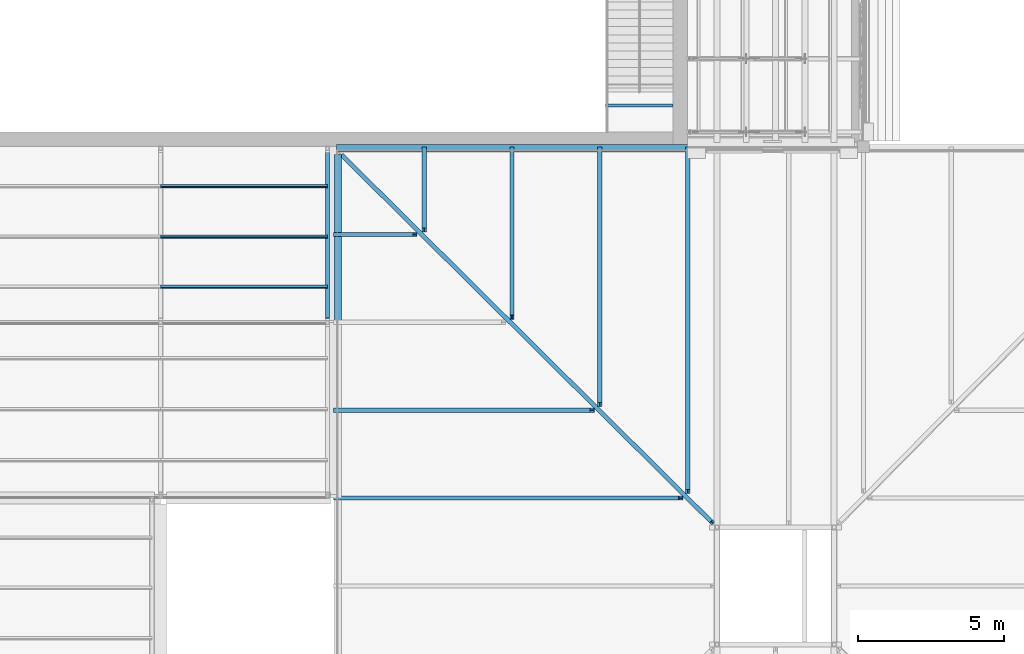
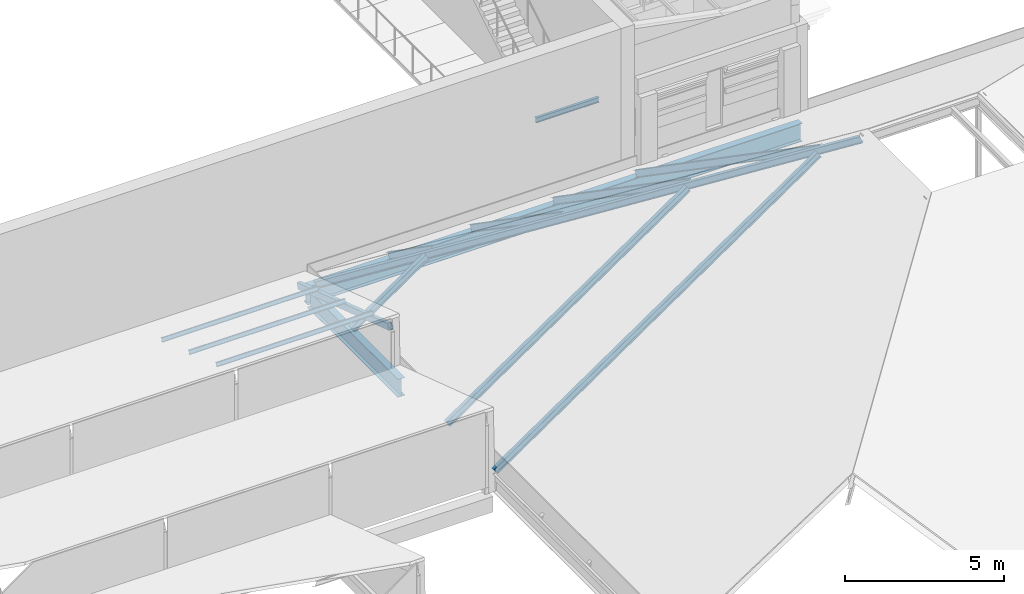
# One storey, part 22 of 118: 12 members, 3 beams.
"""IFC4 building model written with IfcOpenShell, lengths in metres."""

from ifc_helpers import new_model, si_unit, direction, frame, origin, origin_2d, place, context, subcontext, project, spatial, hollow_rectangle, i_section, extrude, material, material_profile, profile_set, type_object, element, save


model = new_model("IFC4")

# Units and contexts
model_context = context("Model", 3, precision=1e-05, world=origin(), true_north=direction((0.0, 1.0)))
body_context = subcontext(model_context, "Body", "Model", "MODEL_VIEW")
ifc_project = project(units=[si_unit("LENGTHUNIT", "METRE"), si_unit("AREAUNIT", "SQUARE_METRE"), si_unit("VOLUMEUNIT", "CUBIC_METRE"), si_unit("PLANEANGLEUNIT", "RADIAN"), si_unit("MASSUNIT", "GRAM", prefix="KILO")], contexts=[model_context])

# Site, building, storey
site_placement = place(None, origin())
site = spatial("IfcSite", under=ifc_project, at=site_placement, CompositionType="ELEMENT")
building_placement = place(site_placement, origin())
building = spatial("IfcBuilding", under=site, at=building_placement, Name="Saffron Lane Theatres", CompositionType="ELEMENT")
storey_placement = place(building_placement, frame((0.0, 0.0, 16.5)))
storey = spatial("IfcBuildingStorey", under=building, at=storey_placement, Name="L03", CompositionType="ELEMENT", Elevation=16.5)

# Beams
ifc_material_1 = material(Name="Steel Grade 350", Category="steel")
ifc_material_profile_1 = material_profile(ifc_material_1, i_section(OverallWidth=0.25, OverallDepth=0.699951171875, WebThickness=0.010009765625, FlangeThickness=0.02001953125, at=origin_2d()))
ifc_profile_set_1 = profile_set([ifc_material_profile_1], Name="Steel Grade 350")
beam_type_1 = type_object("IfcBeamType", Name="ST-EAVE BEAM 700WB130", PredefinedType="BEAM", material=ifc_profile_set_1)
beam_1_placement = place(storey_placement, frame((36.0, 29.949951171875, 0.35009765625), z_axis=(1.0, 0.0, 0.0), x_axis=(0.0, 1.0, 0.0)))
element("IfcBeam", 1, at=beam_1_placement, inside=storey, type_object=beam_type_1, Name="SE6", PredefinedType="BEAM", context=body_context, shape_type="SweptSolid", body=[
    extrude(i_section(OverallWidth=0.25, OverallDepth=0.699951171875, WebThickness=0.010009765625, FlangeThickness=0.02001953125, at=origin_2d()), origin(), (0.0, 0.0, 1.0), 18.0),
])
beam_2_placement = place(storey_placement, frame((36.050048828125, 24.0, 0.35009765625), z_axis=(0.0, 1.0, 0.0), x_axis=(-1.0, 0.0, 0.0)))
element("IfcBeam", 2, at=beam_2_placement, inside=storey, type_object=beam_type_1, Name="SE12", PredefinedType="BEAM", context=body_context, shape_type="SweptSolid", body=[
    extrude(i_section(OverallWidth=0.25, OverallDepth=0.699951171875, WebThickness=0.010009765625, FlangeThickness=0.02001953125, at=origin_2d()), origin(), (0.0, 0.0, 1.0), 5.72509765625),
])
ifc_material_2 = material(Name="Steel Grade 350", Category="steel")
ifc_material_profile_2 = material_profile(ifc_material_2, i_section(OverallWidth=0.09912109375, OverallDepth=0.197998046875, WebThickness=0.00439453125, FlangeThickness=0.007080078125, FilletRadius=0.010986328125, at=origin_2d()))
ifc_profile_set_2 = profile_set([ifc_material_profile_2], Name="Steel Grade 350")
beam_type_2 = type_object("IfcBeamType", Name="ST-GALLERY BEAM 200UB18.2", PredefinedType="BEAM", material=ifc_profile_set_2)
beam_3_placement = place(storey_placement, frame((45.199951171875, 31.39990234375, 2.950927734375), z_axis=(1.0, 0.0, 0.0), x_axis=(0.0, 1.0, 0.0)))
element("IfcBeam", 3, at=beam_3_placement, inside=storey, type_object=beam_type_2, Name="FLE19.75-1", PredefinedType="BEAM", context=body_context, shape_type="SweptSolid", body=[
    extrude(i_section(OverallWidth=0.09912109375, OverallDepth=0.197998046875, WebThickness=0.00439453125, FlangeThickness=0.007080078125, FilletRadius=0.010986328125, at=origin_2d()), origin(), (0.0, 0.0, 1.0), 2.300048828125),
])

# Members
ifc_material_3 = material(Name="Steel Grade 350", Category="steel")
ifc_material_profile_3 = material_profile(ifc_material_3, i_section(OverallWidth=0.14599609375, OverallDepth=0.251953125, WebThickness=0.006103515625, FlangeThickness=0.008544921875, FilletRadius=0.011962890625, at=origin_2d()))
ifc_profile_set_3 = profile_set([ifc_material_profile_3], Name="Steel Grade 350")
member_type_1 = type_object("IfcMemberType", Name="ST-HIP RAFTER 250UB31.4", PredefinedType="RAFTER", material=ifc_profile_set_3)
member_1_placement = place(storey_placement, frame((36.214599609375, 29.685302734375, 0.81298828125), z_axis=(0.636646229199, -0.631657803978, 0.442368621763), x_axis=(0.704320179051, 0.709882444763, 0.0)))
element("IfcMember", 4, at=member_1_placement, inside=storey, type_object=member_type_1, Name="SH2", PredefinedType="RAFTER", context=body_context, shape_type="SweptSolid", body=[
    extrude(i_section(OverallWidth=0.14599609375, OverallDepth=0.251953125, WebThickness=0.006103515625, FlangeThickness=0.008544921875, FilletRadius=0.011962890625, at=origin_2d()), origin(), (0.0, 0.0, 1.0), 19.8212890625),
])
ifc_material_4 = material(Name="Steel Grade 350", Category="steel")
ifc_material_profile_4 = material_profile(ifc_material_4, i_section(OverallWidth=0.14599609375, OverallDepth=0.251953125, WebThickness=0.006103515625, FlangeThickness=0.008544921875, FilletRadius=0.011962890625, at=origin_2d()))
ifc_profile_set_4 = profile_set([ifc_material_profile_4], Name="Steel Grade 350")
member_type_2 = type_object("IfcMemberType", Name="ST-JACK RAFTER 250UB31.4", PredefinedType="RAFTER", material=ifc_profile_set_4)
member_2_placement = place(storey_placement, frame((39.0, 29.923095703125, 0.80419921875), z_axis=(0.0, -0.822925157336, 0.568149791361), x_axis=(1.0, 0.0, 0.0)))
element("IfcMember", 5, at=member_2_placement, inside=storey, type_object=member_type_2, Name="SK2", PredefinedType="RAFTER", context=body_context, shape_type="SweptSolid", body=[
    extrude(i_section(OverallWidth=0.14599609375, OverallDepth=0.251953125, WebThickness=0.006103515625, FlangeThickness=0.008544921875, FilletRadius=0.011962890625, at=origin_2d()), origin(), (0.0, 0.0, 1.0), 3.366455078125),
])
member_3_placement = place(storey_placement, frame((42.0, 29.923095703125, 0.80419921875), z_axis=(0.0, -0.822954104635, 0.568107860942), x_axis=(1.0, 0.0, 0.0)))
element("IfcMember", 6, at=member_3_placement, inside=storey, type_object=member_type_2, Name="SK4", PredefinedType="RAFTER", context=body_context, shape_type="SweptSolid", body=[
    extrude(i_section(OverallWidth=0.14599609375, OverallDepth=0.251953125, WebThickness=0.006103515625, FlangeThickness=0.008544921875, FilletRadius=0.011962890625, at=origin_2d()), origin(), (0.0, 0.0, 1.0), 6.983642578125),
])
member_4_placement = place(storey_placement, frame((45.0, 29.923095703125, 0.80419921875), z_axis=(0.0, -0.822955863712, 0.568105312757), x_axis=(1.0, 0.0, 0.0)))
element("IfcMember", 7, at=member_4_placement, inside=storey, type_object=member_type_2, Name="SK6", PredefinedType="RAFTER", context=body_context, shape_type="SweptSolid", body=[
    extrude(i_section(OverallWidth=0.14599609375, OverallDepth=0.251953125, WebThickness=0.006103515625, FlangeThickness=0.008544921875, FilletRadius=0.011962890625, at=origin_2d()), origin(), (0.0, 0.0, 1.0), 10.60107421875),
])
member_5_placement = place(storey_placement, frame((48.0, 29.923095703125, 0.80419921875), z_axis=(0.0, -0.822956727743, 0.568104061122), x_axis=(1.0, 0.0, 0.0)))
element("IfcMember", 8, at=member_5_placement, inside=storey, type_object=member_type_2, Name="SK8", PredefinedType="RAFTER", context=body_context, shape_type="SweptSolid", body=[
    extrude(i_section(OverallWidth=0.14599609375, OverallDepth=0.251953125, WebThickness=0.006103515625, FlangeThickness=0.008544921875, FilletRadius=0.011962890625, at=origin_2d()), origin(), (0.0, 0.0, 1.0), 14.21826171875),
])
member_6_placement = place(storey_placement, frame((35.97607421875, 18.0, 0.804931640625), z_axis=(0.825011173097, 0.0, 0.565116416559), x_axis=(0.0, 1.0, 0.0)))
element("IfcMember", 9, at=member_6_placement, inside=storey, type_object=member_type_2, Name="SK29", PredefinedType="RAFTER", context=body_context, shape_type="SweptSolid", body=[
    extrude(i_section(OverallWidth=0.14599609375, OverallDepth=0.251953125, WebThickness=0.006103515625, FlangeThickness=0.008544921875, FilletRadius=0.011962890625, at=origin_2d()), origin(), (0.0, 0.0, 1.0), 14.2841796875),
])
member_7_placement = place(storey_placement, frame((35.97607421875, 21.0, 0.804931640625), z_axis=(0.825009980266, 0.0, 0.565118157965), x_axis=(0.0, 1.0, 0.0)))
element("IfcMember", 10, at=member_7_placement, inside=storey, type_object=member_type_2, Name="SK31", PredefinedType="RAFTER", context=body_context, shape_type="SweptSolid", body=[
    extrude(i_section(OverallWidth=0.14599609375, OverallDepth=0.251953125, WebThickness=0.006103515625, FlangeThickness=0.008544921875, FilletRadius=0.011962890625, at=origin_2d()), origin(), (0.0, 0.0, 1.0), 10.619873046875),
])
member_8_placement = place(storey_placement, frame((35.97607421875, 27.0, 0.804931640625), z_axis=(0.82504511108, 0.0, 0.565066867444), x_axis=(0.0, 1.0, 0.0)))
element("IfcMember", 11, at=member_8_placement, inside=storey, type_object=member_type_2, Name="SK35", PredefinedType="RAFTER", context=body_context, shape_type="SweptSolid", body=[
    extrude(i_section(OverallWidth=0.14599609375, OverallDepth=0.251953125, WebThickness=0.006103515625, FlangeThickness=0.008544921875, FilletRadius=0.011962890625, at=origin_2d()), origin(), (0.0, 0.0, 1.0), 3.29052734375),
])
ifc_material_5 = material(Name="Steel Grade 350", Category="steel")
ifc_material_profile_5 = material_profile(ifc_material_5, i_section(OverallWidth=0.074951171875, OverallDepth=0.155029296875, WebThickness=0.006103515625, FlangeThickness=0.009521484375, FilletRadius=0.008056640625, at=origin_2d()))
ifc_profile_set_5 = profile_set([ifc_material_profile_5], Name="Steel Grade 350")
member_type_3 = type_object("IfcMemberType", Name="ST-STUDIO PURLIN 150UB18.0", PredefinedType="PURLIN", material=ifc_profile_set_5)
for number, where, z_axis, x_axis, name in (
    (12, (30.0, 25.2099609375, 2.60498046875), (1.0, 0.0, 0.0), (0.0, 0.949628648787, -0.313377455162), "GSU56"),
    (13, (30.0, 26.93115234375, 2.036865234375), (1.0, 0.0, 0.0), (0.0, 0.949628648787, -0.313377455162), "GSU61"),
    (14, (30.0, 28.652587890625, 1.468994140625), (1.0, 0.0, 0.0), (0.0, 0.949628648787, -0.313377455162), "GSU66"),
):
    element("IfcMember", number, at=place(storey_placement, frame(where, z_axis=z_axis, x_axis=x_axis)), inside=storey, type_object=member_type_3, Name=name, PredefinedType="PURLIN", context=body_context, shape_type="SweptSolid", body=[
        extrude(i_section(OverallWidth=0.074951171875, OverallDepth=0.155029296875, WebThickness=0.006103515625, FlangeThickness=0.009521484375, FilletRadius=0.008056640625, at=origin_2d()), origin(), (0.0, 0.0, 1.0), 5.699951171875),
    ])
ifc_material_6 = material(Name="Steel Grade 350", Category="steel")
ifc_material_profile_6 = material_profile(ifc_material_6, hollow_rectangle(XDim=0.14990234375, YDim=0.25, WallThickness=0.009033203125, InnerFilletRadius=0.00439453125, OuterFilletRadius=0.013427734375, at=origin_2d()))
ifc_profile_set_6 = profile_set([ifc_material_profile_6], Name="Steel Grade 350")
member_type_4 = type_object("IfcMemberType", Name="ST-STUDIO TRUSS CHORD 250x150x9 RHS", PredefinedType="CHORD", material=ifc_profile_set_6)
member_9_placement = place(storey_placement, frame((35.699951171875, 24.1015625, 2.757568359375), z_axis=(0.0, 0.949629130372, -0.313375995807), x_axis=(-1.0, 0.0, 0.0)))
element("IfcMember", 15, at=member_9_placement, inside=storey, type_object=member_type_4, Name="GSC36", PredefinedType="CHORD", context=body_context, shape_type="SweptSolid", body=[
    extrude(hollow_rectangle(XDim=0.14990234375, YDim=0.25, WallThickness=0.009033203125, InnerFilletRadius=0.00439453125, OuterFilletRadius=0.013427734375, at=origin_2d()), origin(), (0.0, 0.0, 1.0), 6.03857421875),
])

save(model, "model.ifc")
